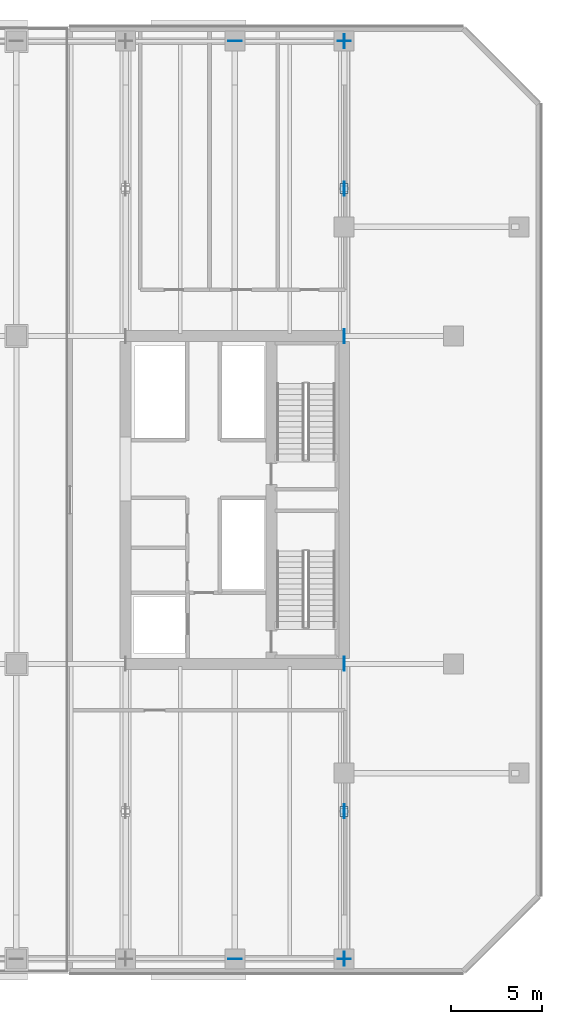
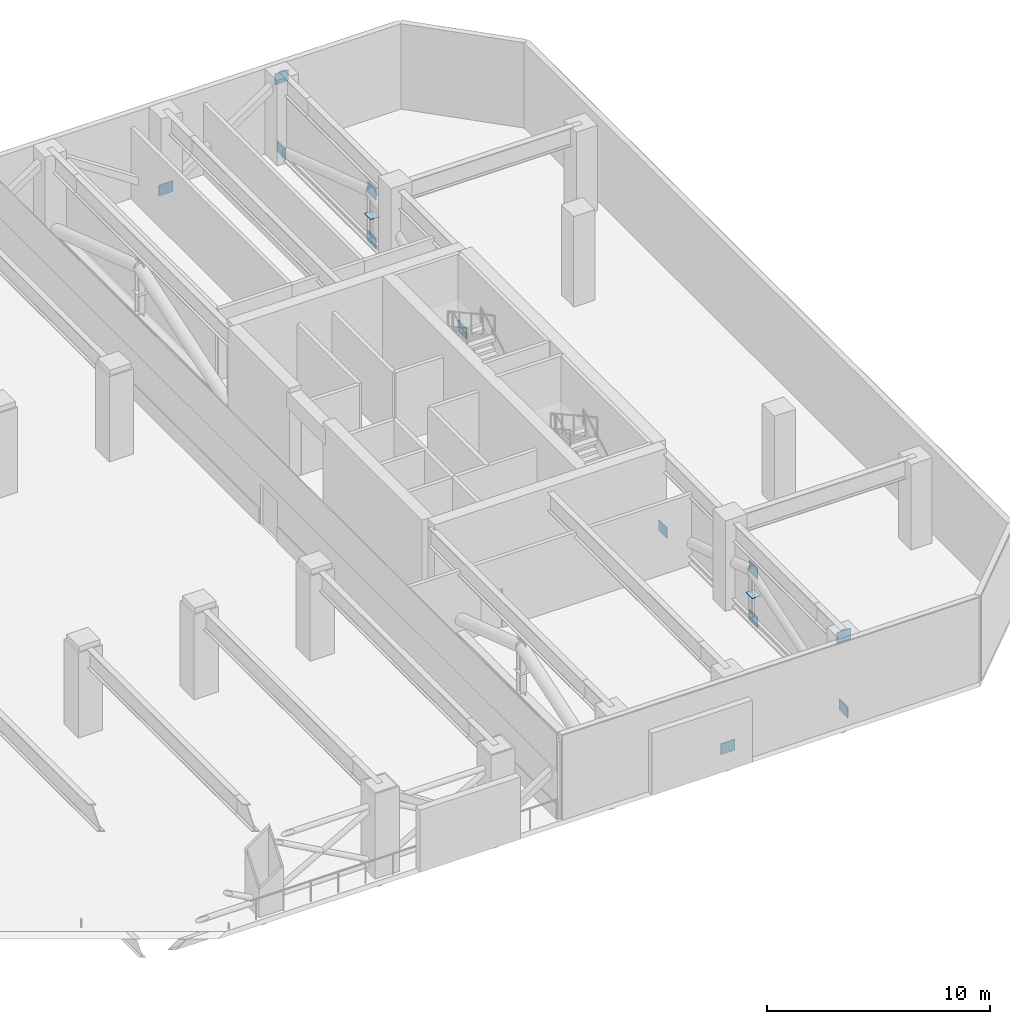
# One storey, part 10 of 22: 14 plates.
"""IFC4 building model written with IfcOpenShell, lengths in metres."""

from ifc_helpers import new_model, si_unit, direction, frame, origin, origin_2d, place, context, subcontext, project, spatial, rectangle, extrude, material, layer, layer_set, type_object, element, save


model = new_model("IFC4")

# Units and contexts
model_context = context("Model", 3, precision=1e-05, world=origin(), true_north=direction((0.0, 1.0)))
body_context = subcontext(model_context, "Body", "Model", "MODEL_VIEW")
ifc_project = project(units=[si_unit("LENGTHUNIT", "METRE"), si_unit("AREAUNIT", "SQUARE_METRE"), si_unit("VOLUMEUNIT", "CUBIC_METRE"), si_unit("PLANEANGLEUNIT", "RADIAN"), si_unit("MASSUNIT", "GRAM", prefix="KILO")], contexts=[model_context])

# Site, building, storey
site_placement = place(None, origin())
site = spatial("IfcSite", under=ifc_project, at=site_placement, CompositionType="ELEMENT")
building_placement = place(site_placement, origin())
building = spatial("IfcBuilding", under=site, at=building_placement, Name="Tanjung Sevakor Pilgrim Tower", CompositionType="ELEMENT")
storey_placement = place(building_placement, frame((0.0, 0.0, 73.260009765625)))
storey = spatial("IfcBuildingStorey", under=building, at=storey_placement, Name="L20", CompositionType="ELEMENT", Elevation=73.260009765625)

# Plates
ifc_material_1 = material(Name="Steel S460M", Category="steel")
ifc_layer_1 = layer(ifc_material_1, 0.028076171875)
ifc_layer_set_1 = layer_set([ifc_layer_1], Name="PL-CAP-28")
plate_type_1 = type_object("IfcPlateType", Name="PL-CAP-28", PredefinedType="USERDEFINED", material=ifc_layer_set_1)
for number, where, z_axis, x_axis, name in (
    (1, (90.0, 16.5, 1.68115234375), (0.0, 0.0, 1.0), (1.0, 0.0, 0.0), "L20 Hollow End Cap Plate 007"),
    (2, (90.0, 50.699951171875, 1.68115234375), (0.0, 0.0, 1.0), (1.0, 0.0, 0.0), "L20 Hollow End Cap Plate 008"),
):
    element("IfcPlate", number, at=place(storey_placement, frame(where, z_axis=z_axis, x_axis=x_axis)), inside=storey, type_object=plate_type_1, Name=name, ObjectType="CAP PLATE", PredefinedType="USERDEFINED", context=body_context, shape_type="SweptSolid", body=[
        extrude(rectangle(XDim=0.43994140625, YDim=0.56005859375, at=origin_2d()), origin(), (0.0, 0.0, 1.0), 0.028076171875),
    ])
ifc_material_2 = material(Name="Steel S460M", Category="steel")
ifc_layer_2 = layer(ifc_material_2, 0.031982421875)
ifc_layer_set_2 = layer_set([ifc_layer_2], Name="PL-GUSSET-32")
plate_type_2 = type_object("IfcPlateType", Name="PL-GUSSET-32", PredefinedType="USERDEFINED", material=ifc_layer_set_2)
for number, where, z_axis, x_axis, name in (
    (3, (90.0, 8.39990234375, 0.050048828125), (0.0, 0.0, 1.0), (1.0, 0.0, 0.0), "L20 Outrigger Gusset 025"),
    (4, (90.0, 16.5, 0.050048828125), (0.0, 0.0, 1.0), (1.0, 0.0, 0.0), "L20 Outrigger Gusset 026"),
    (5, (90.0, 24.60009765625, 0.050048828125), (0.0, 0.0, 1.0), (1.0, 0.0, 0.0), "L20 Core Wall Cast-In Embed Plate 027"),
    (6, (90.0, 16.5, 2.739990234375), (0.0, 0.0, 1.0), (1.0, 0.0, 0.0), "L20 Outrigger Gusset 028"),
    (7, (90.0, 42.60009765625, 0.050048828125), (0.0, 0.0, 1.0), (1.0, 0.0, 0.0), "L20 Core Wall Cast-In Embed Plate 029"),
    (8, (90.0, 50.699951171875, 0.050048828125), (0.0, 0.0, 1.0), (1.0, 0.0, 0.0), "L20 Outrigger Gusset 030"),
    (9, (90.0, 58.800048828125, 0.050048828125), (0.0, 0.0, 1.0), (1.0, 0.0, 0.0), "L20 Outrigger Gusset 031"),
    (10, (90.0, 50.699951171875, 2.739990234375), (0.0, 0.0, 1.0), (1.0, 0.0, 0.0), "L20 Outrigger Gusset 032"),
):
    element("IfcPlate", number, at=place(storey_placement, frame(where, z_axis=z_axis, x_axis=x_axis)), inside=storey, type_object=plate_type_2, Name=name, ObjectType="GUSSET PLATE", PredefinedType="USERDEFINED", context=body_context, shape_type="SweptSolid", body=[
        extrude(rectangle(XDim=0.031982421875, YDim=0.760009765625, at=origin_2d()), origin(), (0.0, 0.0, 1.0), 0.60009765625),
    ])
for number, where, z_axis, x_axis, name in (
    (11, (84.0, 8.39990234375, 0.050048828125), (0.0, 0.0, 1.0), (1.0, 0.0, 0.0), "L20 Belt Truss Node Gusset 040"),
    (12, (90.0, 8.39990234375, 4.035888671875), (0.0, 0.0, 1.0), (1.0, 0.0, 0.0), "L20 Belt Truss Node Gusset 041"),
    (13, (84.0, 58.800048828125, 0.050048828125), (0.0, 0.0, 1.0), (1.0, 0.0, 0.0), "L20 Belt Truss Node Gusset 049"),
    (14, (90.0, 58.800048828125, 4.035888671875), (0.0, 0.0, 1.0), (1.0, 0.0, 0.0), "L20 Belt Truss Node Gusset 050"),
):
    element("IfcPlate", number, at=place(storey_placement, frame(where, z_axis=z_axis, x_axis=x_axis)), inside=storey, type_object=plate_type_2, Name=name, ObjectType="GUSSET PLATE", PredefinedType="USERDEFINED", context=body_context, shape_type="SweptSolid", body=[
        extrude(rectangle(XDim=0.719970703125, YDim=0.031982421875, at=origin_2d()), origin(), (0.0, 0.0, 1.0), 0.60009765625),
    ])

save(model, "model.ifc")
